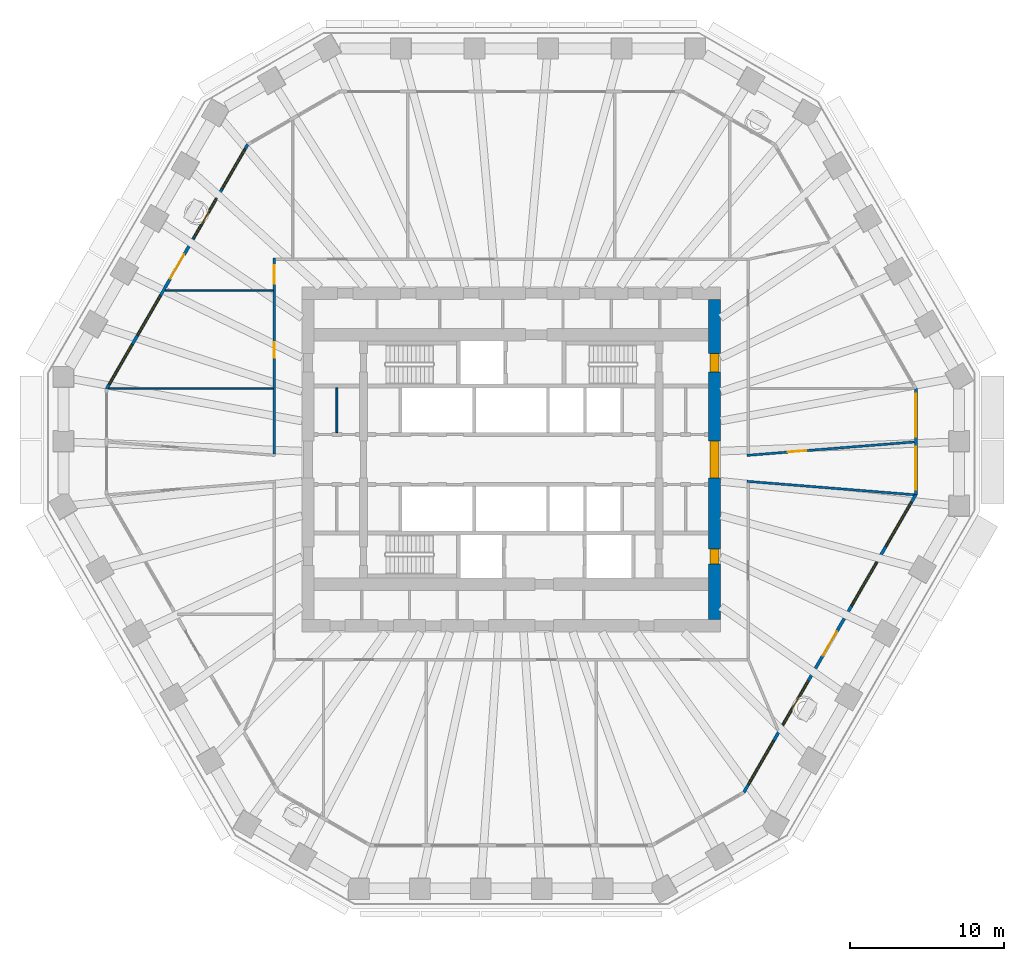
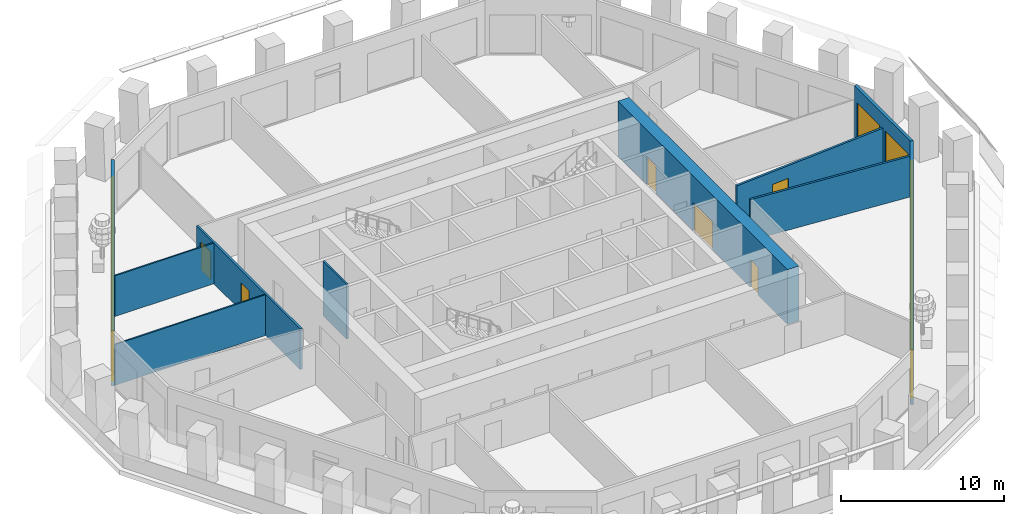
# One storey, part 6 of 13: 12 windows, 10 walls, 8 doors, 20 openings.
"""IFC4 building model written with IfcOpenShell, lengths in metres."""

from ifc_helpers import new_model, si_unit, direction, frame, frame_2d, origin, place, context, subcontext, project, spatial, polyline, rectangle, outline, extrude, material, layer, layer_set, type_object, element, fill, save


model = new_model("IFC4")

# Units and contexts
model_context = context("Model", 3, precision=1e-05, world=origin(), true_north=direction((0.0, 1.0)))
body_context = subcontext(model_context, "Body", "Model", "MODEL_VIEW")
ifc_project = project(units=[si_unit("LENGTHUNIT", "METRE"), si_unit("AREAUNIT", "SQUARE_METRE"), si_unit("VOLUMEUNIT", "CUBIC_METRE"), si_unit("PLANEANGLEUNIT", "RADIAN"), si_unit("MASSUNIT", "GRAM", prefix="KILO")], contexts=[model_context])

# Site, building, storey
site_placement = place(None, origin())
site = spatial("IfcSite", under=ifc_project, at=site_placement, CompositionType="ELEMENT")
building_placement = place(site_placement, origin())
building = spatial("IfcBuilding", under=site, at=building_placement, Name="Frailejon Research Tower", CompositionType="ELEMENT")
storey_placement = place(building_placement, frame((0.0, 0.0, 117.60009765625)))
storey = spatial("IfcBuildingStorey", under=building, at=storey_placement, Name="L25", CompositionType="ELEMENT", Elevation=117.60009765625)

# Wall
ifc_material_1 = material(Name="Plasterboard on steel studs", Category="steel")
ifc_layer_1 = layer(ifc_material_1, 0.125)
ifc_layer_set_1 = layer_set([ifc_layer_1], Name="Core partition 125")
wall_type_1 = type_object("IfcWallType", Name="Core partition 125", PredefinedType="PARTITIONING", material=ifc_layer_set_1)
wall_1_placement = place(storey_placement, frame((-11.324951171875, 1.75, 0.0), z_axis=(0.0, 0.0, 1.0), x_axis=(0.0, 1.0, 0.0)))
element("IfcWall", 1, at=wall_1_placement, inside=storey, type_object=wall_type_1, Name="Core partition", PredefinedType="PARTITIONING", context=body_context, shape_type="SweptSolid", body=[
    extrude(rectangle(XDim=2.89990234375, YDim=0.125, at=frame_2d((1.449951171875, 0.0))), origin(), (0.0, 0.0, 1.0), 4.099853515625),
])

# Wall, openings, doors
ifc_material_2 = material(Name="Concrete C70/85", Category="concrete")
ifc_layer_2 = layer(ifc_material_2, 0.800048828125)
ifc_layer_set_2 = layer_set([ifc_layer_2], Name="Core shear wall 800 C70/85")
wall_type_2 = type_object("IfcWallType", Name="Core shear wall 800 C70/85", PredefinedType="SHEAR", material=ifc_layer_set_2)
wall_2_placement = place(storey_placement, frame((13.199951171875, -10.39990234375, 0.0), z_axis=(0.0, 0.0, 1.0), x_axis=(0.0, 1.0, 0.0)))
wall_2 = element("IfcWall", 2, at=wall_2_placement, inside=storey, type_object=wall_type_2, Name="Core shear wall", PredefinedType="SHEAR", context=body_context, shape_type="SweptSolid", body=[
    extrude(rectangle(XDim=20.7998046875, YDim=0.800048828125, at=frame_2d((10.39990234375, 0.0))), origin(), (0.0, 0.0, 1.0), 4.099853515625),
])
opening_1_placement = place(wall_2_placement, frame((9.199951171875, 0.0, 0.0)))
opening_1 = element("IfcOpeningElement", 3, at=opening_1_placement, cuts=wall_2, Name="Opening D2", PredefinedType="OPENING", context=body_context, shape_type="SweptSolid", body=[
    extrude(rectangle(XDim=2.39990234375, YDim=2.10009765625, at=frame_2d((1.199951171875, 1.050048828125))), frame((0.0, 0.409912109375, 0.0), z_axis=(0.0, -1.0, 0.0), x_axis=(1.0, 0.0, 0.0)), (0.0, 0.0, 1.0), 0.820068359375),
])
opening_2_placement = place(wall_2_placement, frame((16.10009765625, 0.0, 0.0)))
opening_2 = element("IfcOpeningElement", 4, at=opening_2_placement, cuts=wall_2, Name="Opening D7", PredefinedType="OPENING", context=body_context, shape_type="SweptSolid", body=[
    extrude(rectangle(XDim=1.199951171875, YDim=2.10009765625, at=frame_2d((0.60009765625, 1.050048828125))), frame((0.0, 0.409912109375, 0.0), z_axis=(0.0, -1.0, 0.0), x_axis=(1.0, 0.0, 0.0)), (0.0, 0.0, 1.0), 0.820068359375),
])
opening_3_placement = place(wall_2_placement, frame((3.60009765625, 0.0, 0.0)))
opening_3 = element("IfcOpeningElement", 5, at=opening_3_placement, cuts=wall_2, Name="Opening D4", PredefinedType="OPENING", context=body_context, shape_type="SweptSolid", body=[
    extrude(rectangle(XDim=1.0, YDim=2.10009765625, at=frame_2d((0.5, 1.050048828125))), frame((0.0, 0.409912109375, 0.0), z_axis=(0.0, -1.0, 0.0), x_axis=(1.0, 0.0, 0.0)), (0.0, 0.0, 1.0), 0.820068359375),
])
ifc_material_3 = material(Name="Steel", Category="steel")
door_type_1 = type_object("IfcDoorType", Name="Lobby double door", OperationType="DOUBLE_DOOR_SINGLE_SWING", PredefinedType="DOOR", material=ifc_material_3)
door_1_placement = place(opening_1_placement, origin())
door_1 = element("IfcDoor", 6, at=door_1_placement, inside=storey, type_object=door_type_1, Name="Lobby door", OperationType="DOUBLE_DOOR_SINGLE_SWING", OverallHeight=2.10009765625, OverallWidth=2.39990234375, PredefinedType="DOOR", context=body_context, shape_type="SweptSolid", body=[
    extrude(rectangle(XDim=2.39990234375, YDim=2.10009765625, at=frame_2d((1.199951171875, 1.050048828125))), frame((0.0, 0.300048828125, 0.0), z_axis=(0.0, -1.0, 0.0), x_axis=(1.0, 0.0, 0.0)), (0.0, 0.0, 1.0), 0.60009765625),
])
fill(opening_1, door_1)
ifc_material_4 = material(Name="Steel", Category="steel")
door_type_2 = type_object("IfcDoorType", Name="Service door", OperationType="SINGLE_SWING_LEFT", PredefinedType="DOOR", material=ifc_material_4)
door_2_placement = place(opening_3_placement, origin())
door_2 = element("IfcDoor", 7, at=door_2_placement, inside=storey, type_object=door_type_2, Name="Store door", OperationType="SINGLE_SWING_RIGHT", OverallHeight=2.10009765625, OverallWidth=1.0, PredefinedType="DOOR", context=body_context, shape_type="SweptSolid", body=[
    extrude(rectangle(XDim=1.0, YDim=2.10009765625, at=frame_2d((0.5, 1.050048828125))), frame((0.0, 0.300048828125, 0.0), z_axis=(0.0, -1.0, 0.0), x_axis=(1.0, 0.0, 0.0)), (0.0, 0.0, 1.0), 0.60009765625),
])
fill(opening_3, door_2)
ifc_material_5 = material(Name="Steel", Category="steel")
door_type_3 = type_object("IfcDoorType", Name="Stair exit door", OperationType="SINGLE_SWING_LEFT", PredefinedType="DOOR", material=ifc_material_5)
door_3_placement = place(opening_2_placement, origin())
door_3 = element("IfcDoor", 8, at=door_3_placement, inside=storey, type_object=door_type_3, Name="Stair exit door ST3", OperationType="SINGLE_SWING_RIGHT", OverallHeight=2.10009765625, OverallWidth=1.199951171875, PredefinedType="DOOR", context=body_context, shape_type="SweptSolid", body=[
    extrude(rectangle(XDim=1.199951171875, YDim=2.10009765625, at=frame_2d((0.60009765625, 1.050048828125))), frame((0.0, 0.300048828125, 0.0), z_axis=(0.0, -1.0, 0.0), x_axis=(1.0, 0.0, 0.0)), (0.0, 0.0, 1.0), 0.60009765625),
])
fill(opening_2, door_3)

ifc_material_6 = material(Name="Gypsum board and masonry partition", Category="masonry")
ifc_layer_3 = layer(ifc_material_6, 0.14990234375)
ifc_layer_set_3 = layer_set([ifc_layer_3], Name="Corridor wall EI 60, gypsum on steel studs 150")
wall_type_3 = type_object("IfcWallType", Name="Corridor wall EI 60, gypsum on steel studs 150", PredefinedType="PARTITIONING", material=ifc_layer_set_3)
wall_3_placement = place(storey_placement, frame((-15.39990234375, 0.349365234375, 0.0), z_axis=(0.0, 0.0, 1.0), x_axis=(0.0, 1.0, 0.0)))
wall_3 = element("IfcWall", 9, at=wall_3_placement, inside=storey, type_object=wall_type_3, Name="T:IW:L25:005", PredefinedType="PARTITIONING", context=body_context, shape_type="SweptSolid", body=[
    extrude(rectangle(XDim=12.7255859375, YDim=0.14990234375, at=frame_2d((6.36279296875, 0.0))), origin(), (0.0, 0.0, 1.0), 3.0498046875),
])
opening_4_placement = place(wall_3_placement, frame((11.072265625, 0.0, 0.0)))
opening_4 = element("IfcOpeningElement", 10, at=opening_4_placement, cuts=wall_3, Name="Opening D1621", PredefinedType="OPENING", context=body_context, shape_type="SweptSolid", body=[
    extrude(rectangle(XDim=1.199951171875, YDim=2.10009765625, at=frame_2d((0.60009765625, 1.050048828125))), frame((0.0, 0.0849609375, 0.0), z_axis=(0.0, -1.0, 0.0), x_axis=(1.0, 0.0, 0.0)), (0.0, 0.0, 1.0), 0.169921875),
])
opening_5_placement = place(wall_3_placement, frame((6.25439453125, 0.0, 0.0)))
opening_5 = element("IfcOpeningElement", 11, at=opening_5_placement, cuts=wall_3, Name="Opening D1622", PredefinedType="OPENING", context=body_context, shape_type="SweptSolid", body=[
    extrude(rectangle(XDim=1.0, YDim=2.10009765625, at=frame_2d((0.5, 1.050048828125))), frame((0.0, 0.0849609375, 0.0), z_axis=(0.0, -1.0, 0.0), x_axis=(1.0, 0.0, 0.0)), (0.0, 0.0, 1.0), 0.169921875),
])
ifc_material_7 = material(Name="Timber door leaf", Category="wood")
door_type_4 = type_object("IfcDoorType", Name="Door single leaf, timber, steel frame 1000", OperationType="NOTDEFINED", PredefinedType="DOOR", material=ifc_material_7)
door_4_placement = place(opening_5_placement, origin())
door_4 = element("IfcDoor", 12, at=door_4_placement, inside=storey, type_object=door_type_4, Name="D1622", OperationType="SINGLE_SWING_RIGHT", OverallHeight=2.10009765625, OverallWidth=1.0, PredefinedType="DOOR", context=body_context, shape_type="SweptSolid", body=[
    extrude(rectangle(XDim=1.0, YDim=2.10009765625, at=frame_2d((0.5, 1.050048828125))), frame((0.0, 0.02490234375, 0.0), z_axis=(0.0, -1.0, 0.0), x_axis=(1.0, 0.0, 0.0)), (0.0, 0.0, 1.0), 0.050048828125),
])
fill(opening_5, door_4)
ifc_material_8 = material(Name="Timber door leaf", Category="wood")
door_type_5 = type_object("IfcDoorType", Name="Door single leaf, timber, steel frame 1200", OperationType="NOTDEFINED", PredefinedType="DOOR", material=ifc_material_8)
door_5_placement = place(opening_4_placement, origin())
door_5 = element("IfcDoor", 13, at=door_5_placement, inside=storey, type_object=door_type_5, Name="D1621", OperationType="DOUBLE_DOOR_SINGLE_SWING", OverallHeight=2.10009765625, OverallWidth=1.199951171875, PredefinedType="DOOR", context=body_context, shape_type="SweptSolid", body=[
    extrude(rectangle(XDim=1.199951171875, YDim=2.10009765625, at=frame_2d((0.60009765625, 1.050048828125))), frame((0.0, 0.02490234375, 0.0), z_axis=(0.0, -1.0, 0.0), x_axis=(1.0, 0.0, 0.0)), (0.0, 0.0, 1.0), 0.050048828125),
])
fill(opening_4, door_5)

# Wall, opening, door
wall_4_placement = place(storey_placement, frame((15.3251953125, 0.268310546875, 0.0), z_axis=(0.0, 0.0, 1.0), x_axis=(0.996788563133, 0.08007846406, 0.0)))
wall_4 = element("IfcWall", 14, at=wall_4_placement, inside=storey, type_object=wall_type_3, Name="T:IW:L25:009", PredefinedType="PARTITIONING", context=body_context, shape_type="SweptSolid", body=[
    extrude(rectangle(XDim=10.89013671875, YDim=0.14990234375, at=frame_2d((5.445068359375, 0.0))), origin(), (0.0, 0.0, 1.0), 3.0498046875),
])
opening_6_placement = place(wall_4_placement, frame((2.65380859375, 0.0, 0.0)))
opening_6 = element("IfcOpeningElement", 15, at=opening_6_placement, cuts=wall_4, Name="Opening D1615", PredefinedType="OPENING", context=body_context, shape_type="SweptSolid", body=[
    extrude(rectangle(XDim=1.199951171875, YDim=2.10009765625, at=frame_2d((0.60009765625, 1.050048828125))), frame((0.0, 0.0849609375, 0.0), z_axis=(0.0, -1.0, 0.0), x_axis=(1.0, 0.0, 0.0)), (0.0, 0.0, 1.0), 0.169921875),
])
door_6_placement = place(opening_6_placement, origin())
door_6 = element("IfcDoor", 16, at=door_6_placement, inside=storey, type_object=door_type_5, Name="D1615", OperationType="DOUBLE_DOOR_SINGLE_SWING", OverallHeight=2.10009765625, OverallWidth=1.199951171875, PredefinedType="DOOR", context=body_context, shape_type="SweptSolid", body=[
    extrude(rectangle(XDim=1.199951171875, YDim=2.10009765625, at=frame_2d((0.60009765625, 1.050048828125))), frame((0.0, 0.02490234375, 0.0), z_axis=(0.0, -1.0, 0.0), x_axis=(1.0, 0.0, 0.0)), (0.0, 0.0, 1.0), 0.050048828125),
])
fill(opening_6, door_6)

# Walls
wall_5_placement = place(storey_placement, frame((15.3251953125, -1.419677734375, 0.0), z_axis=(0.0, 0.0, 1.0), x_axis=(0.996790806926, -0.080050529212, 0.0)))
element("IfcWall", 17, at=wall_5_placement, inside=storey, type_object=wall_type_3, Name="T:IW:L25:010", PredefinedType="PARTITIONING", context=body_context, shape_type="SweptSolid", body=[
    extrude(rectangle(XDim=10.86962890625, YDim=0.14990234375, at=frame_2d((5.434814453125, 0.0))), origin(), (0.0, 0.0, 1.0), 3.0498046875),
])
ifc_material_9 = material(Name="Gypsum board and masonry partition", Category="masonry")
ifc_layer_4 = layer(ifc_material_9, 0.10009765625)
ifc_layer_set_4 = layer_set([ifc_layer_4], Name="Partition, gypsum on steel studs 100")
wall_type_4 = type_object("IfcWallType", Name="Partition, gypsum on steel studs 100", PredefinedType="PARTITIONING", material=ifc_layer_set_4)
wall_6_placement = place(storey_placement, frame((-26.149658203125, 4.62060546875, 0.0), z_axis=(0.0, 0.0, 1.0), x_axis=(1.0, 0.0, 0.0)))
element("IfcWall", 18, at=wall_6_placement, inside=storey, type_object=wall_type_4, Name="T:IW:L25:020", PredefinedType="PARTITIONING", context=body_context, shape_type="SweptSolid", body=[
    extrude(rectangle(XDim=10.674560546875, YDim=0.10009765625, at=frame_2d((5.33740234375, 0.0))), origin(), (0.0, 0.0, 1.0), 3.0498046875),
])
wall_7_placement = place(storey_placement, frame((-22.47412109375, 10.98681640625, 0.0), z_axis=(0.0, 0.0, 1.0), x_axis=(1.0, 0.0, 0.0)))
element("IfcWall", 19, at=wall_7_placement, inside=storey, type_object=wall_type_4, Name="T:IW:L25:023", PredefinedType="PARTITIONING", context=body_context, shape_type="SweptSolid", body=[
    extrude(rectangle(XDim=6.9990234375, YDim=0.10009765625, at=frame_2d((3.49951171875, 0.0))), origin(), (0.0, 0.0, 1.0), 3.0498046875),
])

# Wall, openings, windows
ifc_material_10 = material(Name="Concrete C40/50 precast window wall panel", Category="concrete")
ifc_layer_5 = layer(ifc_material_10, 0.199951171875)
ifc_layer_set_5 = layer_set([ifc_layer_5], Name="Window wall 200")
wall_type_5 = type_object("IfcWallType", Name="Window wall 200", PredefinedType="SOLIDWALL", material=ifc_layer_set_5)
wall_8_placement = place(storey_placement, frame((26.280517578125, -2.28076171875, 0.0), z_axis=(0.0, 0.0, 1.0), x_axis=(0.0, 1.0, 0.0)))
wall_8 = element("IfcWall", 20, at=wall_8_placement, inside=storey, type_object=wall_type_5, Name="Exterior wall L25", PredefinedType="SOLIDWALL", context=body_context, shape_type="SweptSolid", body=[
    extrude(outline(polyline([(-0.02685546875, -0.10009765625), (1.1279296875, -0.10009765625), (2.282470703125, -0.10009765625), (3.437255859375, -0.10009765625), (4.592041015625, -0.10009765625), (5.74658203125, -0.10009765625), (6.9013671875, -0.10009765625), (6.84765625, 0.10009765625), (5.7109375, 0.10009765625), (4.573974609375, 0.10009765625), (3.437255859375, 0.10009765625), (2.300537109375, 0.10009765625), (1.16357421875, 0.10009765625), (0.02685546875, 0.10009765625), (-0.02685546875, -0.10009765625)])), origin(), (0.0, 0.0, 1.0), 4.099853515625),
])
opening_7_placement = place(wall_8_placement, frame((0.318603515625, 0.0, 0.10009765625)))
opening_7 = element("IfcOpeningElement", 21, at=opening_7_placement, cuts=wall_8, Name="Opening W3", PredefinedType="OPENING", context=body_context, shape_type="SweptSolid", body=[
    extrude(rectangle(XDim=2.800048828125, YDim=2.89990234375, at=frame_2d((1.39990234375, 1.449951171875))), frame((0.0, 0.10986328125, 0.0), z_axis=(0.0, -1.0, 0.0), x_axis=(1.0, 0.0, 0.0)), (0.0, 0.0, 1.0), 0.219970703125),
])
opening_8_placement = place(wall_8_placement, frame((3.756103515625, 0.0, 0.10009765625)))
opening_8 = element("IfcOpeningElement", 22, at=opening_8_placement, cuts=wall_8, Name="Opening W3", PredefinedType="OPENING", context=body_context, shape_type="SweptSolid", body=[
    extrude(rectangle(XDim=2.800048828125, YDim=2.89990234375, at=frame_2d((1.39990234375, 1.449951171875))), frame((0.0, 0.10986328125, 0.0), z_axis=(0.0, -1.0, 0.0), x_axis=(1.0, 0.0, 0.0)), (0.0, 0.0, 1.0), 0.219970703125),
])
ifc_material_11 = material(Name="Aluminium framed double glazing", Category="aluminium")
window_type_1 = type_object("IfcWindowType", Name="Window 2800x2900", PartitioningType="SINGLE_PANEL", PredefinedType="WINDOW", material=ifc_material_11)
window_1_placement = place(opening_7_placement, origin())
window_1 = element("IfcWindow", 23, at=window_1_placement, inside=storey, type_object=window_type_1, Name="Window L25", OverallHeight=2.89990234375, OverallWidth=2.800048828125, PartitioningType="SINGLE_PANEL", PredefinedType="WINDOW", context=body_context, shape_type="SweptSolid", body=[
    extrude(rectangle(XDim=2.800048828125, YDim=2.89990234375, at=frame_2d((1.39990234375, 1.449951171875))), frame((0.0, 0.030029296875, 0.0), z_axis=(0.0, -1.0, 0.0), x_axis=(1.0, 0.0, 0.0)), (0.0, 0.0, 1.0), 0.06005859375),
])
fill(opening_7, window_1)
window_2_placement = place(opening_8_placement, origin())
window_2 = element("IfcWindow", 24, at=window_2_placement, inside=storey, type_object=window_type_1, Name="Window L25", OverallHeight=2.89990234375, OverallWidth=2.800048828125, PartitioningType="SINGLE_PANEL", PredefinedType="WINDOW", context=body_context, shape_type="SweptSolid", body=[
    extrude(rectangle(XDim=2.800048828125, YDim=2.89990234375, at=frame_2d((1.39990234375, 1.449951171875))), frame((0.0, 0.030029296875, 0.0), z_axis=(0.0, -1.0, 0.0), x_axis=(1.0, 0.0, 0.0)), (0.0, 0.0, 1.0), 0.06005859375),
])
fill(opening_8, window_2)

# Wall, openings, door, windows
wall_9_placement = place(storey_placement, frame((-17.11865234375, 20.462646484375, 0.0), z_axis=(0.0, 0.0, 1.0), x_axis=(-0.499998099904, -0.866026500803, 0.0)))
wall_9 = element("IfcWall", 25, at=wall_9_placement, inside=storey, type_object=wall_type_5, Name="Exterior wall L25", PredefinedType="SOLIDWALL", context=body_context, shape_type="SweptSolid", body=[
    extrude(outline(polyline([(-0.02685546875, -0.10009765625), (0.994140625, -0.10009765625), (2.01513671875, -0.10009765625), (3.0361328125, -0.10009765625), (4.05712890625, -0.10009765625), (5.077880859375, -0.10009765625), (6.098876953125, -0.10009765625), (7.119873046875, -0.10009765625), (8.140869140625, -0.10009765625), (9.161865234375, -0.10009765625), (10.182861328125, -0.10009765625), (11.203857421875, -0.10009765625), (12.224853515625, -0.10009765625), (13.245849609375, -0.10009765625), (14.2666015625, -0.10009765625), (15.28759765625, -0.10009765625), (16.30859375, -0.10009765625), (17.32958984375, -0.10009765625), (18.3505859375, -0.10009765625), (18.296875, 0.10009765625), (17.281982421875, 0.10009765625), (16.266845703125, 0.10009765625), (15.251953125, 0.10009765625), (14.23681640625, 0.10009765625), (13.221923828125, 0.10009765625), (12.206787109375, 0.10009765625), (11.19189453125, 0.10009765625), (10.1767578125, 0.10009765625), (9.161865234375, 0.10009765625), (8.14697265625, 0.10009765625), (7.1318359375, 0.10009765625), (6.116943359375, 0.10009765625), (5.101806640625, 0.10009765625), (4.0869140625, 0.10009765625), (3.07177734375, 0.10009765625), (2.056884765625, 0.10009765625), (1.041748046875, 0.10009765625), (0.02685546875, 0.10009765625), (-0.02685546875, -0.10009765625)])), origin(), (0.0, 0.0, 1.0), 4.099853515625),
])
opening_9_placement = place(wall_9_placement, frame((0.33251953125, 0.0, 0.10009765625)))
opening_9 = element("IfcOpeningElement", 26, at=opening_9_placement, cuts=wall_9, Name="Opening W4", PredefinedType="OPENING", context=body_context, shape_type="SweptSolid", body=[
    extrude(rectangle(XDim=3.0, YDim=2.89990234375, at=frame_2d((1.5, 1.449951171875))), frame((0.0, 0.10986328125, 0.0), z_axis=(0.0, -1.0, 0.0), x_axis=(1.0, 0.0, 0.0)), (0.0, 0.0, 1.0), 0.219970703125),
])
opening_10_placement = place(wall_9_placement, frame((3.9970703125, 0.0, 0.10009765625)))
opening_10 = element("IfcOpeningElement", 27, at=opening_10_placement, cuts=wall_9, Name="Opening W4", PredefinedType="OPENING", context=body_context, shape_type="SweptSolid", body=[
    extrude(rectangle(XDim=3.0, YDim=2.89990234375, at=frame_2d((1.5, 1.449951171875))), frame((0.0, 0.10986328125, 0.0), z_axis=(0.0, -1.0, 0.0), x_axis=(1.0, 0.0, 0.0)), (0.0, 0.0, 1.0), 0.219970703125),
])
opening_11_placement = place(wall_9_placement, frame((8.261962890625, 0.0, 0.0)))
opening_11 = element("IfcOpeningElement", 28, at=opening_11_placement, cuts=wall_9, Name="Opening LG25-3", PredefinedType="OPENING", context=body_context, shape_type="SweptSolid", body=[
    extrude(rectangle(XDim=1.800048828125, YDim=2.39990234375, at=frame_2d((0.89990234375, 1.199951171875))), frame((0.0, 0.10986328125, 0.0), z_axis=(0.0, -1.0, 0.0), x_axis=(1.0, 0.0, 0.0)), (0.0, 0.0, 1.0), 0.219970703125),
])
opening_12_placement = place(wall_9_placement, frame((8.261962890625, 0.0, 2.550048828125)))
opening_12 = element("IfcOpeningElement", 29, at=opening_12_placement, cuts=wall_9, Name="Opening W1", PredefinedType="OPENING", context=body_context, shape_type="SweptSolid", body=[
    extrude(rectangle(XDim=1.800048828125, YDim=0.449951171875, at=frame_2d((0.89990234375, 0.22509765625))), frame((0.0, 0.10986328125, 0.0), z_axis=(0.0, -1.0, 0.0), x_axis=(1.0, 0.0, 0.0)), (0.0, 0.0, 1.0), 0.219970703125),
])
opening_13_placement = place(wall_9_placement, frame((11.32666015625, 0.0, 0.10009765625)))
opening_13 = element("IfcOpeningElement", 30, at=opening_13_placement, cuts=wall_9, Name="Opening W4", PredefinedType="OPENING", context=body_context, shape_type="SweptSolid", body=[
    extrude(rectangle(XDim=3.0, YDim=2.89990234375, at=frame_2d((1.5, 1.449951171875))), frame((0.0, 0.10986328125, 0.0), z_axis=(0.0, -1.0, 0.0), x_axis=(1.0, 0.0, 0.0)), (0.0, 0.0, 1.0), 0.219970703125),
])
opening_14_placement = place(wall_9_placement, frame((14.991455078125, 0.0, 0.10009765625)))
opening_14 = element("IfcOpeningElement", 31, at=opening_14_placement, cuts=wall_9, Name="Opening W4", PredefinedType="OPENING", context=body_context, shape_type="SweptSolid", body=[
    extrude(rectangle(XDim=3.0, YDim=2.89990234375, at=frame_2d((1.5, 1.449951171875))), frame((0.0, 0.10986328125, 0.0), z_axis=(0.0, -1.0, 0.0), x_axis=(1.0, 0.0, 0.0)), (0.0, 0.0, 1.0), 0.219970703125),
])
ifc_material_12 = material(Name="Aluminium framed glazed door leaf", Category="aluminium")
door_type_6 = type_object("IfcDoorType", Name="Loggia door 1800x2400", OperationType="DOUBLE_DOOR_SINGLE_SWING", PredefinedType="DOOR", material=ifc_material_12)
door_7_placement = place(opening_11_placement, origin())
door_7 = element("IfcDoor", 32, at=door_7_placement, inside=storey, type_object=door_type_6, Name="Door LG25-3", OperationType="DOUBLE_DOOR_SINGLE_SWING", OverallHeight=2.39990234375, OverallWidth=1.800048828125, PredefinedType="DOOR", context=body_context, shape_type="SweptSolid", body=[
    extrude(rectangle(XDim=1.800048828125, YDim=2.39990234375, at=frame_2d((0.89990234375, 1.199951171875))), frame((0.0, 0.02490234375, 0.0), z_axis=(0.0, -1.0, 0.0), x_axis=(1.0, 0.0, 0.0)), (0.0, 0.0, 1.0), 0.050048828125),
])
fill(opening_11, door_7)
ifc_material_13 = material(Name="Aluminium framed double glazing", Category="aluminium")
window_type_2 = type_object("IfcWindowType", Name="Window 1800x450", PartitioningType="SINGLE_PANEL", PredefinedType="WINDOW", material=ifc_material_13)
window_3_placement = place(opening_12_placement, origin())
window_3 = element("IfcWindow", 33, at=window_3_placement, inside=storey, type_object=window_type_2, Name="Window L25", OverallHeight=0.449951171875, OverallWidth=1.800048828125, PartitioningType="SINGLE_PANEL", PredefinedType="WINDOW", context=body_context, shape_type="SweptSolid", body=[
    extrude(rectangle(XDim=1.800048828125, YDim=0.449951171875, at=frame_2d((0.89990234375, 0.22509765625))), frame((0.0, 0.030029296875, 0.0), z_axis=(0.0, -1.0, 0.0), x_axis=(1.0, 0.0, 0.0)), (0.0, 0.0, 1.0), 0.06005859375),
])
fill(opening_12, window_3)
ifc_material_14 = material(Name="Aluminium framed double glazing", Category="aluminium")
window_type_3 = type_object("IfcWindowType", Name="Window 3000x2900", PartitioningType="SINGLE_PANEL", PredefinedType="WINDOW", material=ifc_material_14)
window_4_placement = place(opening_9_placement, origin())
window_4 = element("IfcWindow", 34, at=window_4_placement, inside=storey, type_object=window_type_3, Name="Window L25", OverallHeight=2.89990234375, OverallWidth=3.0, PartitioningType="SINGLE_PANEL", PredefinedType="WINDOW", context=body_context, shape_type="SweptSolid", body=[
    extrude(rectangle(XDim=3.0, YDim=2.89990234375, at=frame_2d((1.5, 1.449951171875))), frame((0.0, 0.030029296875, 0.0), z_axis=(0.0, -1.0, 0.0), x_axis=(1.0, 0.0, 0.0)), (0.0, 0.0, 1.0), 0.06005859375),
])
fill(opening_9, window_4)
window_5_placement = place(opening_10_placement, origin())
window_5 = element("IfcWindow", 35, at=window_5_placement, inside=storey, type_object=window_type_3, Name="Window L25", OverallHeight=2.89990234375, OverallWidth=3.0, PartitioningType="SINGLE_PANEL", PredefinedType="WINDOW", context=body_context, shape_type="SweptSolid", body=[
    extrude(rectangle(XDim=3.0, YDim=2.89990234375, at=frame_2d((1.5, 1.449951171875))), frame((0.0, 0.030029296875, 0.0), z_axis=(0.0, -1.0, 0.0), x_axis=(1.0, 0.0, 0.0)), (0.0, 0.0, 1.0), 0.06005859375),
])
fill(opening_10, window_5)
window_6_placement = place(opening_13_placement, origin())
window_6 = element("IfcWindow", 36, at=window_6_placement, inside=storey, type_object=window_type_3, Name="Window L25", OverallHeight=2.89990234375, OverallWidth=3.0, PartitioningType="SINGLE_PANEL", PredefinedType="WINDOW", context=body_context, shape_type="SweptSolid", body=[
    extrude(rectangle(XDim=3.0, YDim=2.89990234375, at=frame_2d((1.5, 1.449951171875))), frame((0.0, 0.030029296875, 0.0), z_axis=(0.0, -1.0, 0.0), x_axis=(1.0, 0.0, 0.0)), (0.0, 0.0, 1.0), 0.06005859375),
])
fill(opening_13, window_6)
window_7_placement = place(opening_14_placement, origin())
window_7 = element("IfcWindow", 37, at=window_7_placement, inside=storey, type_object=window_type_3, Name="Window L25", OverallHeight=2.89990234375, OverallWidth=3.0, PartitioningType="SINGLE_PANEL", PredefinedType="WINDOW", context=body_context, shape_type="SweptSolid", body=[
    extrude(rectangle(XDim=3.0, YDim=2.89990234375, at=frame_2d((1.5, 1.449951171875))), frame((0.0, 0.030029296875, 0.0), z_axis=(0.0, -1.0, 0.0), x_axis=(1.0, 0.0, 0.0)), (0.0, 0.0, 1.0), 0.06005859375),
])
fill(opening_14, window_7)

wall_10_placement = place(storey_placement, frame((15.115478515625, -21.619140625, 0.0), z_axis=(0.0, 0.0, 1.0), x_axis=(0.500000698452, 0.866025000533, 0.0)))
wall_10 = element("IfcWall", 38, at=wall_10_placement, inside=storey, type_object=wall_type_5, Name="Exterior wall L25", PredefinedType="SOLIDWALL", context=body_context, shape_type="SweptSolid", body=[
    extrude(outline(polyline([(-0.02685546875, -0.10009765625), (0.990478515625, -0.10009765625), (2.008056640625, -0.10009765625), (3.025390625, -0.10009765625), (4.04296875, -0.10009765625), (5.060302734375, -0.10009765625), (6.077880859375, -0.10009765625), (7.09521484375, -0.10009765625), (8.11279296875, -0.10009765625), (9.130126953125, -0.10009765625), (10.147705078125, -0.10009765625), (11.1650390625, -0.10009765625), (12.182373046875, -0.10009765625), (13.199951171875, -0.10009765625), (14.21728515625, -0.10009765625), (15.23486328125, -0.10009765625), (16.252197265625, -0.10009765625), (17.269775390625, -0.10009765625), (18.287109375, -0.10009765625), (19.3046875, -0.10009765625), (20.322021484375, -0.10009765625), (21.339599609375, -0.10009765625), (22.35693359375, -0.10009765625), (22.30322265625, 0.10009765625), (21.290771484375, 0.10009765625), (20.278076171875, 0.10009765625), (19.265625, 0.10009765625), (18.2529296875, 0.10009765625), (17.240478515625, 0.10009765625), (16.227783203125, 0.10009765625), (15.21533203125, 0.10009765625), (14.20263671875, 0.10009765625), (13.190185546875, 0.10009765625), (12.177490234375, 0.10009765625), (11.1650390625, 0.10009765625), (10.152587890625, 0.10009765625), (9.139892578125, 0.10009765625), (8.12744140625, 0.10009765625), (7.11474609375, 0.10009765625), (6.102294921875, 0.10009765625), (5.089599609375, 0.10009765625), (4.0771484375, 0.10009765625), (3.064453125, 0.10009765625), (2.052001953125, 0.10009765625), (1.039306640625, 0.10009765625), (0.02685546875, 0.10009765625), (-0.02685546875, -0.10009765625)])), origin(), (0.0, 0.0, 1.0), 4.099853515625),
])
opening_15_placement = place(wall_10_placement, frame((0.5830078125, 0.0, 0.10009765625)))
opening_15 = element("IfcOpeningElement", 39, at=opening_15_placement, cuts=wall_10, Name="Opening W5", PredefinedType="OPENING", context=body_context, shape_type="SweptSolid", body=[
    extrude(rectangle(XDim=3.300048828125, YDim=2.89990234375, at=frame_2d((1.64990234375, 1.449951171875))), frame((0.0, 0.10986328125, 0.0), z_axis=(0.0, -1.0, 0.0), x_axis=(1.0, 0.0, 0.0)), (0.0, 0.0, 1.0), 0.219970703125),
])
opening_16_placement = place(wall_10_placement, frame((5.049072265625, 0.0, 0.10009765625)))
opening_16 = element("IfcOpeningElement", 40, at=opening_16_placement, cuts=wall_10, Name="Opening W5", PredefinedType="OPENING", context=body_context, shape_type="SweptSolid", body=[
    extrude(rectangle(XDim=3.300048828125, YDim=2.89990234375, at=frame_2d((1.64990234375, 1.449951171875))), frame((0.0, 0.10986328125, 0.0), z_axis=(0.0, -1.0, 0.0), x_axis=(1.0, 0.0, 0.0)), (0.0, 0.0, 1.0), 0.219970703125),
])
opening_17_placement = place(wall_10_placement, frame((10.264892578125, 0.0, 0.0)))
opening_17 = element("IfcOpeningElement", 41, at=opening_17_placement, cuts=wall_10, Name="Opening LG25-6", PredefinedType="OPENING", context=body_context, shape_type="SweptSolid", body=[
    extrude(rectangle(XDim=1.800048828125, YDim=2.39990234375, at=frame_2d((0.89990234375, 1.199951171875))), frame((0.0, 0.10986328125, 0.0), z_axis=(0.0, -1.0, 0.0), x_axis=(1.0, 0.0, 0.0)), (0.0, 0.0, 1.0), 0.219970703125),
])
opening_18_placement = place(wall_10_placement, frame((10.264892578125, 0.0, 2.550048828125)))
opening_18 = element("IfcOpeningElement", 42, at=opening_18_placement, cuts=wall_10, Name="Opening W1", PredefinedType="OPENING", context=body_context, shape_type="SweptSolid", body=[
    extrude(rectangle(XDim=1.800048828125, YDim=0.449951171875, at=frame_2d((0.89990234375, 0.22509765625))), frame((0.0, 0.10986328125, 0.0), z_axis=(0.0, -1.0, 0.0), x_axis=(1.0, 0.0, 0.0)), (0.0, 0.0, 1.0), 0.219970703125),
])
opening_19_placement = place(wall_10_placement, frame((13.98095703125, 0.0, 0.10009765625)))
opening_19 = element("IfcOpeningElement", 43, at=opening_19_placement, cuts=wall_10, Name="Opening W5", PredefinedType="OPENING", context=body_context, shape_type="SweptSolid", body=[
    extrude(rectangle(XDim=3.300048828125, YDim=2.89990234375, at=frame_2d((1.64990234375, 1.449951171875))), frame((0.0, 0.10986328125, 0.0), z_axis=(0.0, -1.0, 0.0), x_axis=(1.0, 0.0, 0.0)), (0.0, 0.0, 1.0), 0.219970703125),
])
opening_20_placement = place(wall_10_placement, frame((18.447021484375, 0.0, 0.10009765625)))
opening_20 = element("IfcOpeningElement", 44, at=opening_20_placement, cuts=wall_10, Name="Opening W5", PredefinedType="OPENING", context=body_context, shape_type="SweptSolid", body=[
    extrude(rectangle(XDim=3.300048828125, YDim=2.89990234375, at=frame_2d((1.64990234375, 1.449951171875))), frame((0.0, 0.10986328125, 0.0), z_axis=(0.0, -1.0, 0.0), x_axis=(1.0, 0.0, 0.0)), (0.0, 0.0, 1.0), 0.219970703125),
])
door_8_placement = place(opening_17_placement, origin())
door_8 = element("IfcDoor", 45, at=door_8_placement, inside=storey, type_object=door_type_6, Name="Door LG25-6", OperationType="DOUBLE_DOOR_SINGLE_SWING", OverallHeight=2.39990234375, OverallWidth=1.800048828125, PredefinedType="DOOR", context=body_context, shape_type="SweptSolid", body=[
    extrude(rectangle(XDim=1.800048828125, YDim=2.39990234375, at=frame_2d((0.89990234375, 1.199951171875))), frame((0.0, 0.02490234375, 0.0), z_axis=(0.0, -1.0, 0.0), x_axis=(1.0, 0.0, 0.0)), (0.0, 0.0, 1.0), 0.050048828125),
])
fill(opening_17, door_8)
window_8_placement = place(opening_18_placement, origin())
window_8 = element("IfcWindow", 46, at=window_8_placement, inside=storey, type_object=window_type_2, Name="Window L25", OverallHeight=0.449951171875, OverallWidth=1.800048828125, PartitioningType="SINGLE_PANEL", PredefinedType="WINDOW", context=body_context, shape_type="SweptSolid", body=[
    extrude(rectangle(XDim=1.800048828125, YDim=0.449951171875, at=frame_2d((0.89990234375, 0.22509765625))), frame((0.0, 0.030029296875, 0.0), z_axis=(0.0, -1.0, 0.0), x_axis=(1.0, 0.0, 0.0)), (0.0, 0.0, 1.0), 0.06005859375),
])
fill(opening_18, window_8)
ifc_material_15 = material(Name="Aluminium framed double glazing", Category="aluminium")
window_type_4 = type_object("IfcWindowType", Name="Window 3300x2900", PartitioningType="SINGLE_PANEL", PredefinedType="WINDOW", material=ifc_material_15)
window_9_placement = place(opening_15_placement, origin())
window_9 = element("IfcWindow", 47, at=window_9_placement, inside=storey, type_object=window_type_4, Name="Window L25", OverallHeight=2.89990234375, OverallWidth=3.300048828125, PartitioningType="SINGLE_PANEL", PredefinedType="WINDOW", context=body_context, shape_type="SweptSolid", body=[
    extrude(rectangle(XDim=3.300048828125, YDim=2.89990234375, at=frame_2d((1.64990234375, 1.449951171875))), frame((0.0, 0.030029296875, 0.0), z_axis=(0.0, -1.0, 0.0), x_axis=(1.0, 0.0, 0.0)), (0.0, 0.0, 1.0), 0.06005859375),
])
fill(opening_15, window_9)
window_10_placement = place(opening_16_placement, origin())
window_10 = element("IfcWindow", 48, at=window_10_placement, inside=storey, type_object=window_type_4, Name="Window L25", OverallHeight=2.89990234375, OverallWidth=3.300048828125, PartitioningType="SINGLE_PANEL", PredefinedType="WINDOW", context=body_context, shape_type="SweptSolid", body=[
    extrude(rectangle(XDim=3.300048828125, YDim=2.89990234375, at=frame_2d((1.64990234375, 1.449951171875))), frame((0.0, 0.030029296875, 0.0), z_axis=(0.0, -1.0, 0.0), x_axis=(1.0, 0.0, 0.0)), (0.0, 0.0, 1.0), 0.06005859375),
])
fill(opening_16, window_10)
window_11_placement = place(opening_19_placement, origin())
window_11 = element("IfcWindow", 49, at=window_11_placement, inside=storey, type_object=window_type_4, Name="Window L25", OverallHeight=2.89990234375, OverallWidth=3.300048828125, PartitioningType="SINGLE_PANEL", PredefinedType="WINDOW", context=body_context, shape_type="SweptSolid", body=[
    extrude(rectangle(XDim=3.300048828125, YDim=2.89990234375, at=frame_2d((1.64990234375, 1.449951171875))), frame((0.0, 0.030029296875, 0.0), z_axis=(0.0, -1.0, 0.0), x_axis=(1.0, 0.0, 0.0)), (0.0, 0.0, 1.0), 0.06005859375),
])
fill(opening_19, window_11)
window_12_placement = place(opening_20_placement, origin())
window_12 = element("IfcWindow", 50, at=window_12_placement, inside=storey, type_object=window_type_4, Name="Window L25", OverallHeight=2.89990234375, OverallWidth=3.300048828125, PartitioningType="SINGLE_PANEL", PredefinedType="WINDOW", context=body_context, shape_type="SweptSolid", body=[
    extrude(rectangle(XDim=3.300048828125, YDim=2.89990234375, at=frame_2d((1.64990234375, 1.449951171875))), frame((0.0, 0.030029296875, 0.0), z_axis=(0.0, -1.0, 0.0), x_axis=(1.0, 0.0, 0.0)), (0.0, 0.0, 1.0), 0.06005859375),
])
fill(opening_20, window_12)

save(model, "model.ifc")
